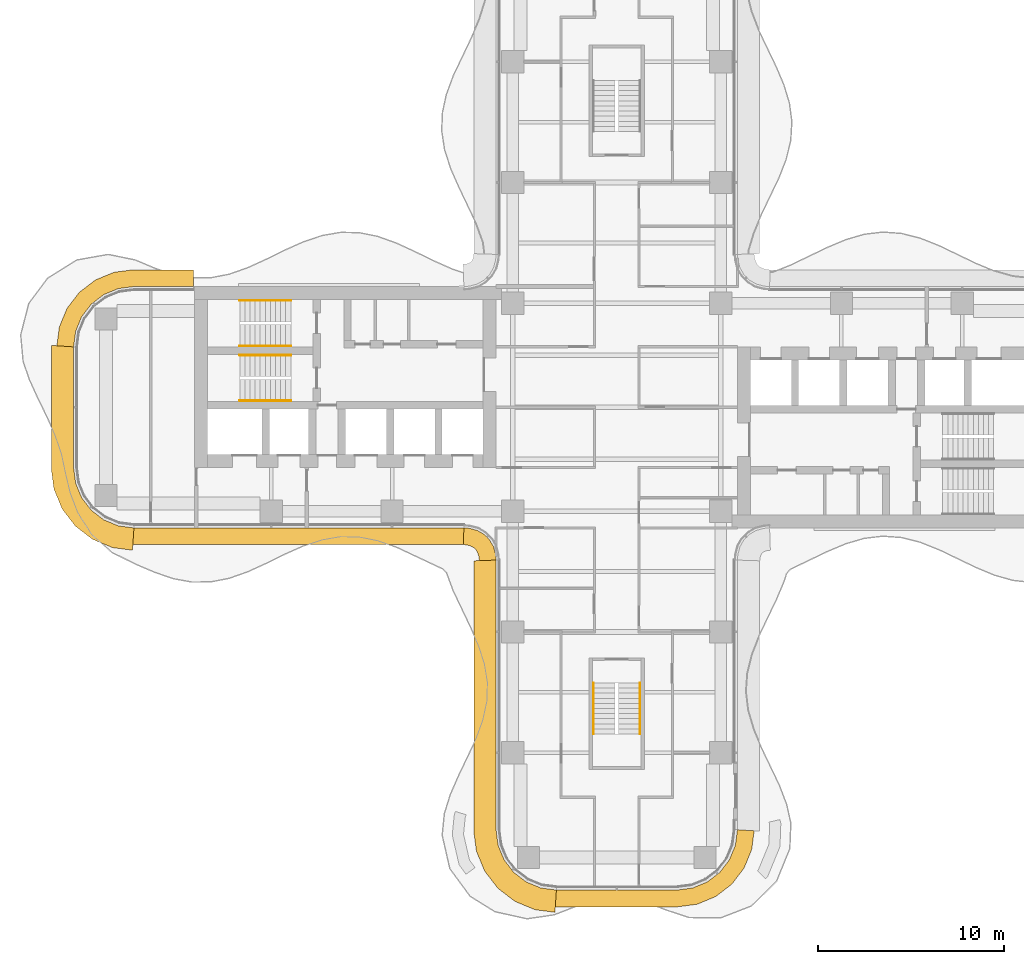
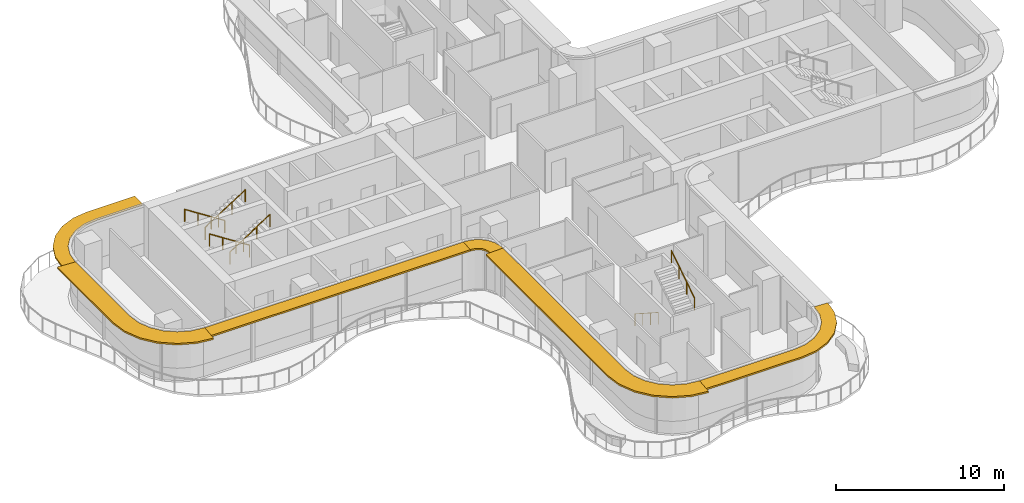
# One storey, part 17 of 18: 6 railings, 6 shading devices.
"""IFC4 building model written with IfcOpenShell, lengths in metres."""

from ifc_helpers import new_model, si_unit, direction, frame, origin, origin_2d, place, context, subcontext, project, spatial, polyline, circle, outline, extrude, source, transform, mapped, material, layer, layer_set, type_object, element, save


model = new_model("IFC4")

# Units and contexts
model_context = context("Model", 3, precision=1e-05, world=origin(), true_north=direction((0.0, 1.0)))
body_context = subcontext(model_context, "Body", "Model", "MODEL_VIEW")
ifc_project = project(units=[si_unit("LENGTHUNIT", "METRE"), si_unit("AREAUNIT", "SQUARE_METRE"), si_unit("VOLUMEUNIT", "CUBIC_METRE"), si_unit("PLANEANGLEUNIT", "RADIAN"), si_unit("MASSUNIT", "GRAM", prefix="KILO")], contexts=[model_context])

# Site, building, storey
site_placement = place(None, origin())
site = spatial("IfcSite", under=ifc_project, at=site_placement, CompositionType="ELEMENT")
building_placement = place(site_placement, origin())
building = spatial("IfcBuilding", under=site, at=building_placement, Name="Trellis Farm Tower", CompositionType="ELEMENT")
storey_placement = place(building_placement, frame((0.0, 0.0, 177.60009765625)))
storey = spatial("IfcBuildingStorey", under=building, at=storey_placement, Name="L38", CompositionType="ELEMENT", Elevation=177.60009765625)

# Railings
ifc_material_1 = material(Name="Stainless steel", Category="steel")
railing_type = type_object("IfcRailingType", Name="STAIR HANDRAIL 900", PredefinedType="HANDRAIL", material=ifc_material_1)
shared_shape_1 = source(origin(), body_context, "Body", "SweptSolid", [
    extrude(circle(Radius=0.02392578125, at=origin_2d()), frame((0.0, 0.0, 0.8759765625), z_axis=(0.0, 0.840503830235, 0.541805602924), x_axis=(-1.0, 0.0, 0.0)), (0.0, 0.0, 1.0), 3.271728515625),
    extrude(circle(Radius=0.02099609375, at=origin_2d()), origin(), (0.0, 0.0, 1.0), 0.851806640625),
    extrude(circle(Radius=0.02099609375, at=origin_2d()), frame((0.0, 0.916748046875, 0.5908203125)), (0.0, 0.0, 1.0), 0.851806640625),
    extrude(circle(Radius=0.02099609375, at=origin_2d()), frame((0.0, 1.833251953125, 1.181884765625)), (0.0, 0.0, 1.0), 0.851806640625),
    extrude(circle(Radius=0.02099609375, at=origin_2d()), frame((0.0, 2.75, 1.772705078125)), (0.0, 0.0, 1.0), 0.851806640625),
])
railing_1_placement = place(storey_placement, frame((1.25, -17.60009765625, 2.127197265625)))
element("IfcRailing", 1, at=railing_1_placement, inside=storey, type_object=railing_type, Name="Stair handrail", PredefinedType="HANDRAIL", context=body_context, shape_type="MappedRepresentation", body=[
    mapped(shared_shape_1, transform((0.0, 0.0, 0.0))),
])
shared_shape_2 = source(origin(), body_context, "Body", "SweptSolid", [
    extrude(circle(Radius=0.02392578125, at=origin_2d()), frame((0.0, 0.0, 0.8759765625), z_axis=(0.0, -0.840503830235, 0.541805602924), x_axis=(1.0, 0.0, 0.0)), (0.0, 0.0, 1.0), 3.271728515625),
    extrude(circle(Radius=0.02099609375, at=origin_2d()), origin(), (0.0, 0.0, 1.0), 0.851806640625),
    extrude(circle(Radius=0.02099609375, at=origin_2d()), frame((0.0, -0.916748046875, 0.5908203125)), (0.0, 0.0, 1.0), 0.851806640625),
    extrude(circle(Radius=0.02099609375, at=origin_2d()), frame((0.0, -1.833251953125, 1.181884765625)), (0.0, 0.0, 1.0), 0.851806640625),
    extrude(circle(Radius=0.02099609375, at=origin_2d()), frame((0.0, -2.75, 1.772705078125)), (0.0, 0.0, 1.0), 0.851806640625),
])
railing_2_placement = place(storey_placement, frame((-1.25, -14.85009765625, 0.17724609375)))
element("IfcRailing", 2, at=railing_2_placement, inside=storey, type_object=railing_type, Name="Stair handrail", PredefinedType="HANDRAIL", context=body_context, shape_type="MappedRepresentation", body=[
    mapped(shared_shape_2, transform((0.0, 0.0, 0.0))),
])
shared_shape_3 = source(origin(), body_context, "Body", "SweptSolid", [
    extrude(circle(Radius=0.02392578125, at=origin_2d()), frame((0.0, 0.0, 0.8759765625), z_axis=(0.840503830235, 0.0, 0.541805602924), x_axis=(0.0, 1.0, 0.0)), (0.0, 0.0, 1.0), 3.271728515625),
    extrude(circle(Radius=0.02099609375, at=origin_2d()), origin(), (0.0, 0.0, 1.0), 0.851806640625),
    extrude(circle(Radius=0.02099609375, at=origin_2d()), frame((0.916748046875, 0.0, 0.5908203125)), (0.0, 0.0, 1.0), 0.851806640625),
    extrude(circle(Radius=0.02099609375, at=origin_2d()), frame((1.833251953125, 0.0, 1.181884765625)), (0.0, 0.0, 1.0), 0.851806640625),
    extrude(circle(Radius=0.02099609375, at=origin_2d()), frame((2.75, 0.0, 1.772705078125)), (0.0, 0.0, 1.0), 0.851806640625),
])
for number, where, name in (
    (3, (-20.300048828125, 3.300048828125, 2.127197265625), "Stair handrail"),
    (4, (-20.300048828125, 0.35009765625, 2.127197265625), "Stair handrail"),
):
    element("IfcRailing", number, at=place(storey_placement, frame(where)), inside=storey, type_object=railing_type, Name=name, PredefinedType="HANDRAIL", context=body_context, shape_type="MappedRepresentation", body=[
        mapped(shared_shape_3, transform((0.0, 0.0, 0.0))),
    ])
shared_shape_4 = source(origin(), body_context, "Body", "SweptSolid", [
    extrude(circle(Radius=0.02392578125, at=origin_2d()), frame((0.0, 0.0, 0.8759765625), z_axis=(-0.840503830235, 0.0, 0.541805602924), x_axis=(0.0, -1.0, 0.0)), (0.0, 0.0, 1.0), 3.271728515625),
    extrude(circle(Radius=0.02099609375, at=origin_2d()), origin(), (0.0, 0.0, 1.0), 0.851806640625),
    extrude(circle(Radius=0.02099609375, at=origin_2d()), frame((-0.916748046875, 0.0, 0.5908203125)), (0.0, 0.0, 1.0), 0.851806640625),
    extrude(circle(Radius=0.02099609375, at=origin_2d()), frame((-1.833251953125, 0.0, 1.181884765625)), (0.0, 0.0, 1.0), 0.851806640625),
    extrude(circle(Radius=0.02099609375, at=origin_2d()), frame((-2.75, 0.0, 1.772705078125)), (0.0, 0.0, 1.0), 0.851806640625),
])
for number, where, name in (
    (5, (-17.550048828125, 5.75, 0.17724609375), "Stair handrail"),
    (6, (-17.550048828125, 2.800048828125, 0.17724609375), "Stair handrail"),
):
    element("IfcRailing", number, at=place(storey_placement, frame(where)), inside=storey, type_object=railing_type, Name=name, PredefinedType="HANDRAIL", context=body_context, shape_type="MappedRepresentation", body=[
        mapped(shared_shape_4, transform((0.0, 0.0, 0.0))),
    ])

# Shading devices
ifc_material_2 = material(Name="Aluminium extrusion 6063-T6", Category="aluminium")
ifc_layer_1 = layer(ifc_material_2, 0.1201171875)
ifc_layer_set_1 = layer_set([ifc_layer_1], Name="SUNSHADE BLADE 900")
shading_device_type_1 = type_object("IfcShadingDeviceType", Name="SUNSHADE BLADE 900", PredefinedType="USERDEFINED", material=ifc_layer_set_1)
shared_shape_5 = source(origin(), body_context, "Body", "SweptSolid", [
    extrude(outline(polyline([(-8.2607421875, -7.39990234375), (-8.107666015625, -7.409912109375), (-8.091552734375, -7.412109375), (-7.85595703125, -7.475341796875), (-7.697021484375, -7.567138671875), (-7.567138671875, -7.697021484375), (-7.475341796875, -7.85595703125), (-7.412109375, -8.091552734375), (-7.409912109375, -8.107666015625), (-7.39990234375, -8.2607421875), (-6.5, -8.2314453125), (-6.513916015625, -8.01953125), (-6.527587890625, -7.91552734375), (-6.63671875, -7.508544921875), (-6.846923828125, -7.144287109375), (-7.144287109375, -6.846923828125), (-7.508544921875, -6.63671875), (-7.91552734375, -6.527587890625), (-8.01953125, -6.513916015625), (-8.2314453125, -6.5), (-8.2607421875, -7.39990234375)])), origin(), (0.0, 0.0, 1.0), 0.1201171875),
])
placement = place(storey_placement, frame((0.0, 0.0, 3.539794921875)))
element("IfcShadingDevice", 7, at=placement, inside=storey, type_object=shading_device_type_1, Name="SD1 002", ObjectType="SUNSHADE", PredefinedType="USERDEFINED", context=body_context, shape_type="MappedRepresentation", body=[
    mapped(shared_shape_5, transform((0.0, 0.0, 0.0))),
])
ifc_layer_2 = layer(ifc_material_2, 0.1201171875)
ifc_layer_set_2 = layer_set([ifc_layer_2], Name="SUNSHADE BLADE 1200")
shading_device_type_2 = type_object("IfcShadingDeviceType", Name="SUNSHADE BLADE 1200", PredefinedType="USERDEFINED", material=ifc_layer_set_2)
shared_shape_6 = source(origin(), body_context, "Body", "SweptSolid", [
    extrude(outline(polyline([(-7.699951171875, -8.270751953125), (-7.699951171875, -22.82861328125), (-7.558349609375, -23.904541015625), (-7.11279296875, -24.980224609375), (-6.404052734375, -25.904052734375), (-5.480224609375, -26.61279296875), (-4.404541015625, -27.058349609375), (-3.32861328125, -27.199951171875), (-3.25, -26.0), (-4.091064453125, -25.88916015625), (-4.875, -25.564697265625), (-5.548095703125, -25.048095703125), (-6.064697265625, -24.375), (-6.38916015625, -23.591064453125), (-6.5, -22.75), (-6.5, -8.2314453125), (-7.699951171875, -8.270751953125)])), origin(), (0.0, 0.0, 1.0), 0.1201171875),
])
element("IfcShadingDevice", 8, at=placement, inside=storey, type_object=shading_device_type_2, Name="SD2 003", ObjectType="SUNSHADE", PredefinedType="USERDEFINED", context=body_context, shape_type="MappedRepresentation", body=[
    mapped(shared_shape_6, transform((0.0, 0.0, 0.0))),
])
shared_shape_7 = source(origin(), body_context, "Body", "SweptSolid", [
    extrude(outline(polyline([(-3.30908203125, -26.89990234375), (3.30908203125, -26.89990234375), (4.326171875, -26.76611328125), (5.328857421875, -26.350830078125), (6.18994140625, -25.68994140625), (6.850830078125, -24.828857421875), (7.26611328125, -23.826171875), (7.39990234375, -22.80908203125), (6.5, -22.75), (6.38916015625, -23.591064453125), (6.064697265625, -24.375), (5.548095703125, -25.048095703125), (4.875, -25.564697265625), (4.091064453125, -25.88916015625), (3.25, -26.0), (-3.25, -26.0), (-3.30908203125, -26.89990234375)])), origin(), (0.0, 0.0, 1.0), 0.1201171875),
])
element("IfcShadingDevice", 9, at=placement, inside=storey, type_object=shading_device_type_1, Name="SD1 004", ObjectType="SUNSHADE", PredefinedType="USERDEFINED", context=body_context, shape_type="MappedRepresentation", body=[
    mapped(shared_shape_7, transform((0.0, 0.0, 0.0))),
])
shared_shape_8 = source(origin(), body_context, "Body", "SweptSolid", [
    extrude(outline(polyline([(-26.05908203125, -7.39990234375), (-8.2607421875, -7.39990234375), (-8.2314453125, -6.5), (-26.0, -6.5), (-26.05908203125, -7.39990234375)])), origin(), (0.0, 0.0, 1.0), 0.1201171875),
])
element("IfcShadingDevice", 10, at=placement, inside=storey, type_object=shading_device_type_1, Name="SD1 001", ObjectType="SUNSHADE", PredefinedType="USERDEFINED", context=body_context, shape_type="MappedRepresentation", body=[
    mapped(shared_shape_8, transform((0.0, 0.0, 0.0))),
])
shared_shape_9 = source(origin(), body_context, "Body", "SweptSolid", [
    extrude(outline(polyline([(-22.780029296875, 7.39990234375), (-26.05908203125, 7.39990234375), (-27.076171875, 7.26611328125), (-28.078857421875, 6.850830078125), (-28.93994140625, 6.18994140625), (-29.600830078125, 5.328857421875), (-30.01611328125, 4.326171875), (-30.14990234375, 3.30908203125), (-29.25, 3.25), (-29.13916015625, 4.091064453125), (-28.814697265625, 4.875), (-28.298095703125, 5.548095703125), (-27.625, 6.064697265625), (-26.841064453125, 6.38916015625), (-26.0, 6.5), (-22.780029296875, 6.5), (-22.780029296875, 7.39990234375)])), origin(), (0.0, 0.0, 1.0), 0.1201171875),
])
element("IfcShadingDevice", 11, at=placement, inside=storey, type_object=shading_device_type_1, Name="SD1 015", ObjectType="SUNSHADE", PredefinedType="USERDEFINED", context=body_context, shape_type="MappedRepresentation", body=[
    mapped(shared_shape_9, transform((0.0, 0.0, 0.0))),
])
shared_shape_10 = source(origin(), body_context, "Body", "SweptSolid", [
    extrude(outline(polyline([(-30.449951171875, 3.32861328125), (-30.449951171875, -3.32861328125), (-30.308349609375, -4.404541015625), (-29.86279296875, -5.480224609375), (-29.154052734375, -6.404052734375), (-28.230224609375, -7.11279296875), (-27.154541015625, -7.558349609375), (-26.07861328125, -7.699951171875), (-26.0, -6.5), (-26.841064453125, -6.38916015625), (-27.625, -6.064697265625), (-28.298095703125, -5.548095703125), (-28.814697265625, -4.875), (-29.13916015625, -4.091064453125), (-29.25, -3.25), (-29.25, 3.25), (-30.449951171875, 3.32861328125)])), origin(), (0.0, 0.0, 1.0), 0.1201171875),
])
element("IfcShadingDevice", 12, at=placement, inside=storey, type_object=shading_device_type_2, Name="SD2 016", ObjectType="SUNSHADE", PredefinedType="USERDEFINED", context=body_context, shape_type="MappedRepresentation", body=[
    mapped(shared_shape_10, transform((0.0, 0.0, 0.0))),
])

save(model, "model.ifc")
